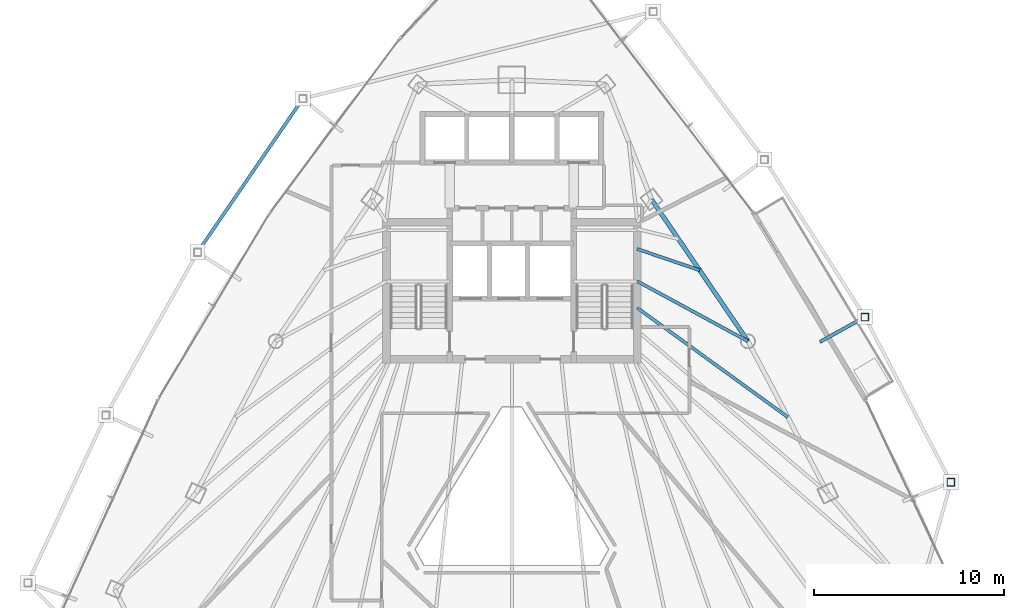
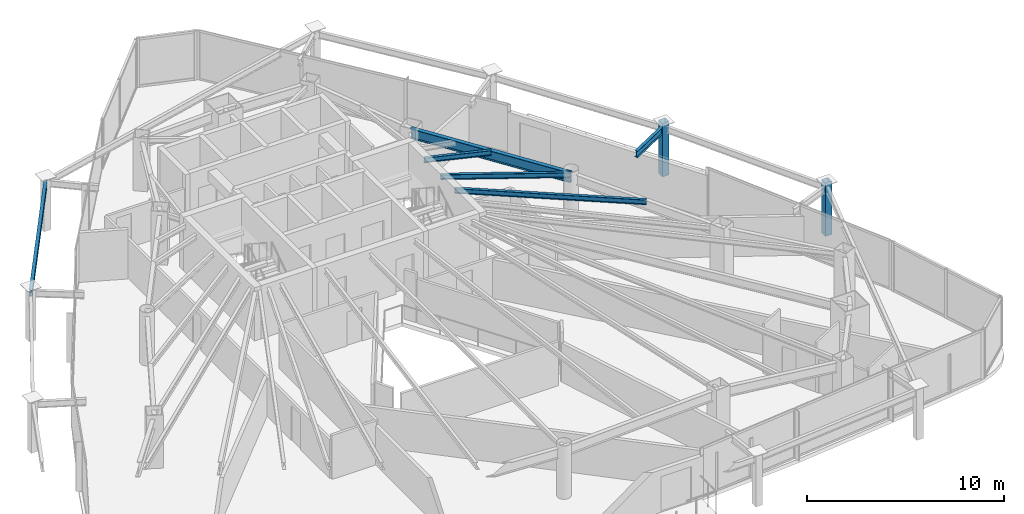
# One storey, part 18 of 31: 6 beams, 2 members.
"""IFC4 building model written with IfcOpenShell, lengths in metres."""

from ifc_helpers import new_model, si_unit, direction, frame, origin, origin_2d, place, context, subcontext, project, spatial, hollow_rectangle, i_section, extrude, material, material_profile, profile_set, type_object, element, save


model = new_model("IFC4")

# Units and contexts
model_context = context("Model", 3, precision=1e-05, world=origin(), true_north=direction((0.0, 1.0)))
body_context = subcontext(model_context, "Body", "Model", "MODEL_VIEW")
ifc_project = project(units=[si_unit("LENGTHUNIT", "METRE"), si_unit("AREAUNIT", "SQUARE_METRE"), si_unit("VOLUMEUNIT", "CUBIC_METRE"), si_unit("PLANEANGLEUNIT", "RADIAN"), si_unit("MASSUNIT", "GRAM", prefix="KILO")], contexts=[model_context])

# Site, building, storey
site_placement = place(None, origin())
site = spatial("IfcSite", under=ifc_project, at=site_placement, CompositionType="ELEMENT")
building_placement = place(site_placement, origin())
building = spatial("IfcBuilding", under=site, at=building_placement, Name="Orvanel Arch Residences", CompositionType="ELEMENT")
storey_placement = place(building_placement, frame((0.0, 0.0, 133.10009765625)))
storey = spatial("IfcBuildingStorey", under=building, at=storey_placement, Name="L37", CompositionType="ELEMENT", Elevation=133.10009765625)

# Beams
ifc_material_1 = material(Name="Structural steel AS/NZS 3679.1 Grade 300 (300 MPa)", Category="steel")
ifc_material_profile_1 = material_profile(ifc_material_1, i_section(OverallWidth=0.1650390625, OverallDepth=0.303955078125, WebThickness=0.006103515625, FlangeThickness=0.01025390625, at=origin_2d()), Name="310UB40.4")
ifc_profile_set_1 = profile_set([ifc_material_profile_1], Name="Structural steel AS/NZS 3679.1 Grade 300 (300 MPa)")
beam_type_1 = type_object("IfcBeamType", Name="BJ-310UB", PredefinedType="JOIST", material=ifc_profile_set_1)
beam_1_placement = place(storey_placement, frame((39.60009765625, 30.800048828125, 2.907958984375), z_axis=(0.87925534649, -0.476350748576, 0.0), x_axis=(0.476350748576, 0.87925534649, 0.0)))
element("IfcBeam", 1, at=beam_1_placement, inside=storey, type_object=beam_type_1, Name="L37 NE Wing Floor Joist", PredefinedType="JOIST", context=body_context, shape_type="SweptSolid", body=[
    extrude(i_section(OverallWidth=0.1650390625, OverallDepth=0.303955078125, WebThickness=0.006103515625, FlangeThickness=0.01025390625, at=origin_2d()), origin(), (0.0, 0.0, 1.0), 6.631591796875),
])
beam_2_placement = place(storey_placement, frame((39.60009765625, 32.5, 2.907958984375), z_axis=(0.9464126781, -0.322959815969, 0.0), x_axis=(0.322959815969, 0.9464126781, 0.0)))
element("IfcBeam", 2, at=beam_2_placement, inside=storey, type_object=beam_type_1, Name="L37 ENE Wing Floor Joist", PredefinedType="JOIST", context=body_context, shape_type="SweptSolid", body=[
    extrude(i_section(OverallWidth=0.1650390625, OverallDepth=0.303955078125, WebThickness=0.006103515625, FlangeThickness=0.01025390625, at=origin_2d()), origin(), (0.0, 0.0, 1.0), 3.477294921875),
])
beam_3_placement = place(storey_placement, frame((39.60009765625, 29.39990234375, 2.907958984375), z_axis=(0.809261403954, -0.587448704203, 0.0), x_axis=(0.587448704203, 0.809261403954, 0.0)))
element("IfcBeam", 3, at=beam_3_placement, inside=storey, type_object=beam_type_1, Name="L37 CTE Wing Floor Joist", PredefinedType="JOIST", context=body_context, shape_type="SweptSolid", body=[
    extrude(i_section(OverallWidth=0.1650390625, OverallDepth=0.303955078125, WebThickness=0.006103515625, FlangeThickness=0.01025390625, at=origin_2d()), origin(), (0.0, 0.0, 1.0), 9.80126953125),
])
ifc_material_profile_2 = material_profile(ifc_material_1, i_section(OverallWidth=0.177978515625, OverallDepth=0.406005859375, WebThickness=0.0078125, FlangeThickness=0.0126953125, at=origin_2d()), Name="410UB59.7")
ifc_profile_set_2 = profile_set([ifc_material_profile_2], Name="Structural steel AS/NZS 3679.1 Grade 300 (300 MPa)")
beam_type_2 = type_object("IfcBeamType", Name="OB-410UB-EXT", PredefinedType="SPANDREL", material=ifc_profile_set_2)
beam_4_placement = place(storey_placement, frame((21.998046875, 40.4140625, 2.85693359375), z_axis=(-0.565307686452, -0.824880124405, 0.0), x_axis=(0.824880124405, -0.565307686452, 0.0)))
element("IfcBeam", 4, at=beam_4_placement, inside=storey, type_object=beam_type_2, Name="L37 Outer Perimeter Floor Ring Beam 01", PredefinedType="SPANDREL", context=body_context, shape_type="SweptSolid", body=[
    extrude(i_section(OverallWidth=0.177978515625, OverallDepth=0.406005859375, WebThickness=0.0078125, FlangeThickness=0.0126953125, at=origin_2d()), origin(), (0.0, 0.0, 1.0), 9.80517578125),
])
beam_5_placement = place(storey_placement, frame((49.220947265625, 27.60595703125, 2.85693359375), z_axis=(0.875590833101, 0.483053509448, 0.0), x_axis=(-0.483053509448, 0.875590833101, 0.0)))
element("IfcBeam", 5, at=beam_5_placement, inside=storey, type_object=beam_type_2, Name="L37 Outer Frame Radial Tie Beam 10", PredefinedType="SPANDREL", context=body_context, shape_type="SweptSolid", body=[
    extrude(i_section(OverallWidth=0.177978515625, OverallDepth=0.406005859375, WebThickness=0.0078125, FlangeThickness=0.0126953125, at=origin_2d()), origin(), (0.0, 0.0, 1.0), 2.7080078125),
])
ifc_material_profile_3 = material_profile(ifc_material_1, i_section(OverallWidth=0.22900390625, OverallDepth=0.612060546875, WebThickness=0.011962890625, FlangeThickness=0.01953125, at=origin_2d()), Name="610UB125")
ifc_profile_set_3 = profile_set([ifc_material_profile_3], Name="Structural steel AS/NZS 3679.1 Grade 300 (300 MPa)")
beam_type_3 = type_object("IfcBeamType", Name="SP-610UB", PredefinedType="SPANDREL", material=ifc_profile_set_3)
beam_6_placement = place(storey_placement, frame((45.430908203125, 27.64111328125, 2.75390625), z_axis=(-0.562154793153, 0.827032035978, 0.0), x_axis=(-0.827032035978, -0.562154793153, 0.0)))
element("IfcBeam", 6, at=beam_6_placement, inside=storey, type_object=beam_type_3, Name="L37 Perimeter Spandrel Beam 12", PredefinedType="SPANDREL", context=body_context, shape_type="SweptSolid", body=[
    extrude(i_section(OverallWidth=0.22900390625, OverallDepth=0.612060546875, WebThickness=0.011962890625, FlangeThickness=0.01953125, at=origin_2d()), origin(), (0.0, 0.0, 1.0), 9.03466796875),
])

# Members
ifc_material_2 = material(Name="Structural steel AS/NZS 1163 C450L0 (Grade 450)", Category="steel")
ifc_material_profile_4 = material_profile(ifc_material_2, hollow_rectangle(XDim=0.39990234375, YDim=0.39990234375, WallThickness=0.01611328125, at=origin_2d()), Name="SHS400x400x16")
ifc_profile_set_4 = profile_set([ifc_material_profile_4], Name="Structural steel AS/NZS 1163 C450L0 (Grade 450)")
member_type = type_object("IfcMemberType", Name="ST-400SHS-EXT", PredefinedType="STRUT", material=ifc_profile_set_4)
for number, where, z_axis, x_axis, name in (
    (7, (56.117919921875, 20.215087890625, 0.0), (0.0, 0.0, 1.0), (1.0, 0.0, 0.0), "L37 Outer Perimeter Frame Post 09"),
    (8, (51.592041015625, 28.9140625, 0.0), (0.0, 0.0, 1.0), (1.0, 0.0, 0.0), "L37 Outer Perimeter Frame Post 10"),
):
    element("IfcMember", number, at=place(storey_placement, frame(where, z_axis=z_axis, x_axis=x_axis)), inside=storey, type_object=member_type, Name=name, PredefinedType="STRUT", context=body_context, shape_type="SweptSolid", body=[
        extrude(hollow_rectangle(XDim=0.39990234375, YDim=0.39990234375, WallThickness=0.01611328125, at=origin_2d()), origin(), (0.0, 0.0, 1.0), 3.2998046875),
    ])

save(model, "model.ifc")
